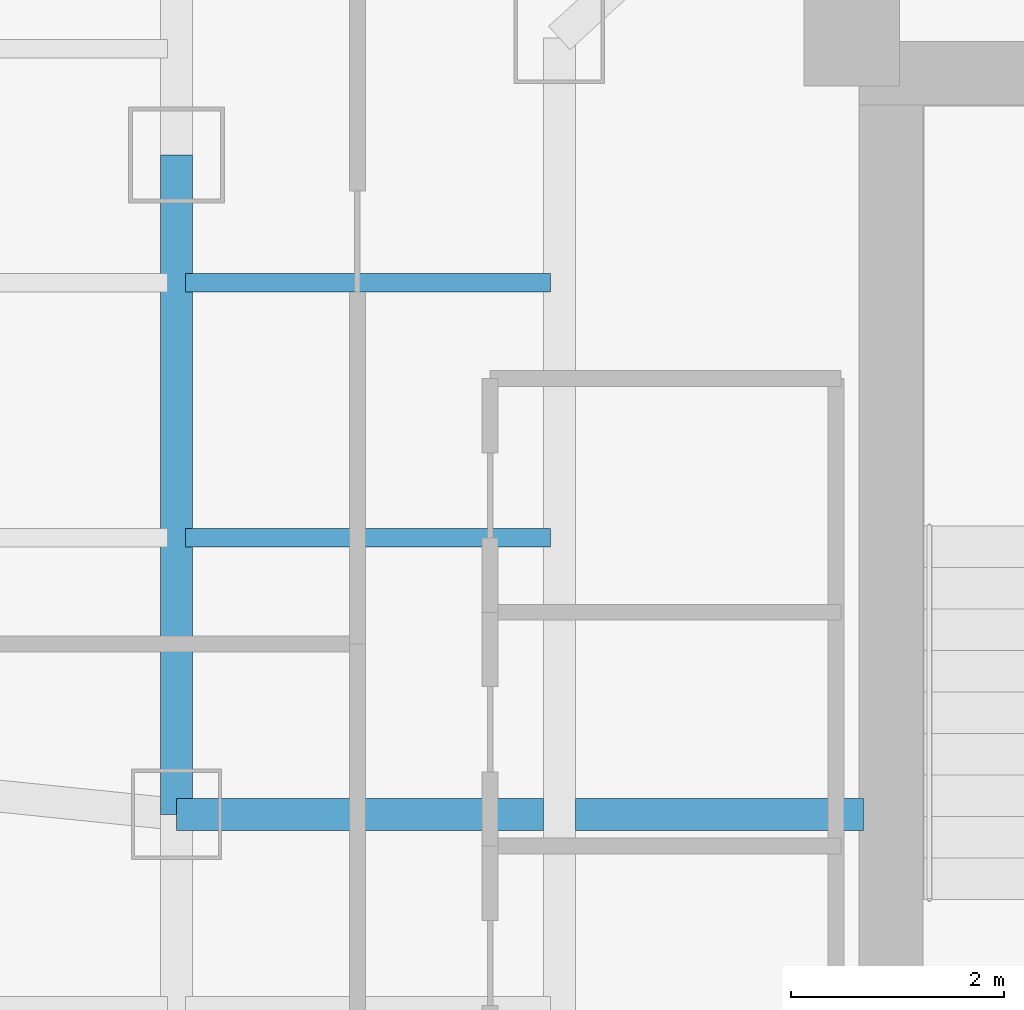
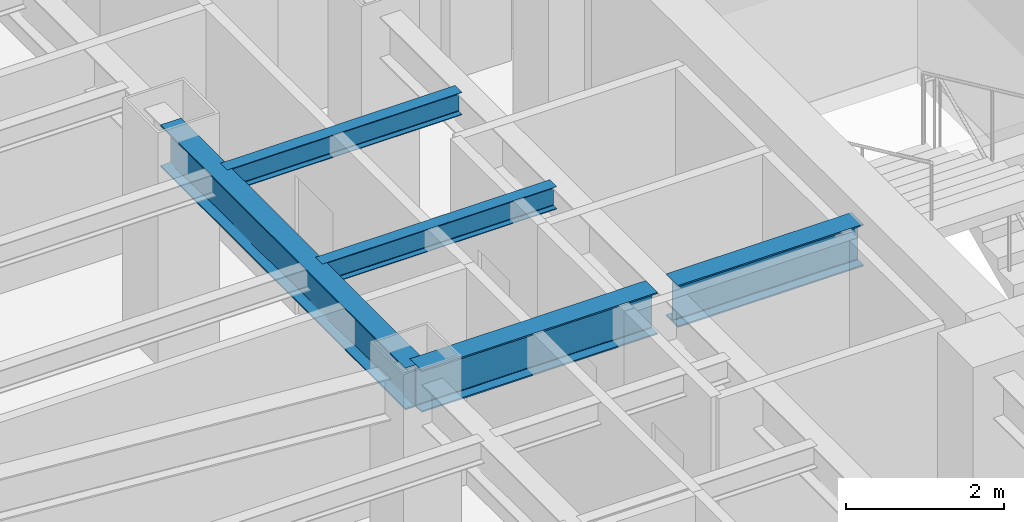
# One storey, part 16 of 31: 5 beams.
"""IFC4 building model written with IfcOpenShell, lengths in metres."""

from ifc_helpers import new_model, si_unit, direction, frame, origin, origin_2d, place, context, subcontext, project, spatial, i_section, extrude, material, material_profile, profile_set, type_object, element, save


model = new_model("IFC4")

# Units and contexts
model_context = context("Model", 3, precision=1e-05, world=origin(), true_north=direction((0.0, 1.0)))
body_context = subcontext(model_context, "Body", "Model", "MODEL_VIEW")
ifc_project = project(units=[si_unit("LENGTHUNIT", "METRE"), si_unit("AREAUNIT", "SQUARE_METRE"), si_unit("VOLUMEUNIT", "CUBIC_METRE"), si_unit("PLANEANGLEUNIT", "RADIAN"), si_unit("MASSUNIT", "GRAM", prefix="KILO")], contexts=[model_context])

# Site, building, storey
site_placement = place(None, origin())
site = spatial("IfcSite", under=ifc_project, at=site_placement, CompositionType="ELEMENT")
building_placement = place(site_placement, origin())
building = spatial("IfcBuilding", under=site, at=building_placement, Name="Hatsunagi Terrace Concourse", CompositionType="ELEMENT")
storey_placement = place(building_placement, frame((0.0, 0.0, 122.85009765625)))
storey = spatial("IfcBuildingStorey", under=building, at=storey_placement, Name="L32", CompositionType="ELEMENT", Elevation=122.85009765625)

# Beams
ifc_material_1 = material(Name="Steel SN490B", Category="steel")
ifc_material_profile_1 = material_profile(ifc_material_1, i_section(OverallWidth=0.175048828125, OverallDepth=0.35009765625, WebThickness=0.007080078125, FlangeThickness=0.010986328125, FilletRadius=0.012939453125, at=origin_2d()), Name="H-350x175x7x11")
ifc_profile_set_1 = profile_set([ifc_material_profile_1], Name="Steel SN490B")
beam_type_1 = type_object("IfcBeamType", Name="HotelJoist_H_350x175", PredefinedType="JOIST", material=ifc_profile_set_1)
for number, where, z_axis, x_axis, name in (
    (1, (19.284912109375, 38.60009765625, 3.1748046875), (1.0, 0.0, 0.0), (0.0, 1.0, 0.0), "Beam J-02 J-L32-W-19-386"),
    (2, (19.284912109375, 41.0, 3.1748046875), (1.0, 0.0, 0.0), (0.0, 1.0, 0.0), "Beam J-02 J-L32-W-19-410"),
):
    element("IfcBeam", number, at=place(storey_placement, frame(where, z_axis=z_axis, x_axis=x_axis)), inside=storey, type_object=beam_type_1, Name=name, PredefinedType="JOIST", context=body_context, shape_type="SweptSolid", body=[
        extrude(i_section(OverallWidth=0.175048828125, OverallDepth=0.35009765625, WebThickness=0.007080078125, FlangeThickness=0.010986328125, FilletRadius=0.012939453125, at=origin_2d()), origin(), (0.0, 0.0, 1.0), 3.43017578125),
    ])
ifc_material_2 = material(Name="Steel SN490B", Category="steel")
ifc_material_profile_2 = material_profile(ifc_material_2, i_section(OverallWidth=0.300048828125, OverallDepth=0.64990234375, WebThickness=0.012939453125, FlangeThickness=0.02197265625, FilletRadius=0.01806640625, at=origin_2d()), Name="H-650x300x13x22")
ifc_profile_set_2 = profile_set([ifc_material_profile_2], Name="Steel SN490B")
beam_type_2 = type_object("IfcBeamType", Name="OfficeLowGirder_H_650x300", PredefinedType="BEAM", material=ifc_profile_set_2)
beam_1_placement = place(storey_placement, frame((19.199951171875, 36.0, 3.02490234375), z_axis=(0.0, 1.0, 0.0), x_axis=(-1.0, 0.0, 0.0)))
element("IfcBeam", 3, at=beam_1_placement, inside=storey, type_object=beam_type_2, Name="Beam G-05 BM-L32-NS-19-36", PredefinedType="BEAM", context=body_context, shape_type="SweptSolid", body=[
    extrude(i_section(OverallWidth=0.300048828125, OverallDepth=0.64990234375, WebThickness=0.012939453125, FlangeThickness=0.02197265625, FilletRadius=0.01806640625, at=origin_2d()), origin(), (0.0, 0.0, 1.0), 6.199951171875),
])
beam_2_placement = place(storey_placement, frame((19.199951171875, 36.0, 3.02490234375), z_axis=(1.0, 0.0, 0.0), x_axis=(0.0, 1.0, 0.0)))
element("IfcBeam", 4, at=beam_2_placement, inside=storey, type_object=beam_type_2, Name="Beam G-05 BM-L32-EW-3", PredefinedType="BEAM", context=body_context, shape_type="SweptSolid", body=[
    extrude(i_section(OverallWidth=0.300048828125, OverallDepth=0.64990234375, WebThickness=0.012939453125, FlangeThickness=0.02197265625, FilletRadius=0.01806640625, at=origin_2d()), origin(), (0.0, 0.0, 1.0), 3.449951171875),
])
beam_3_placement = place(storey_placement, frame((22.949951171875, 36.0, 3.02490234375), z_axis=(1.0, 0.0, 0.0), x_axis=(0.0, 1.0, 0.0)))
element("IfcBeam", 5, at=beam_3_placement, inside=storey, type_object=beam_type_2, Name="Beam G-05 BM-L32-EW-4", PredefinedType="BEAM", context=body_context, shape_type="SweptSolid", body=[
    extrude(i_section(OverallWidth=0.300048828125, OverallDepth=0.64990234375, WebThickness=0.012939453125, FlangeThickness=0.02197265625, FilletRadius=0.01806640625, at=origin_2d()), origin(), (0.0, 0.0, 1.0), 2.7099609375),
])

save(model, "model.ifc")
